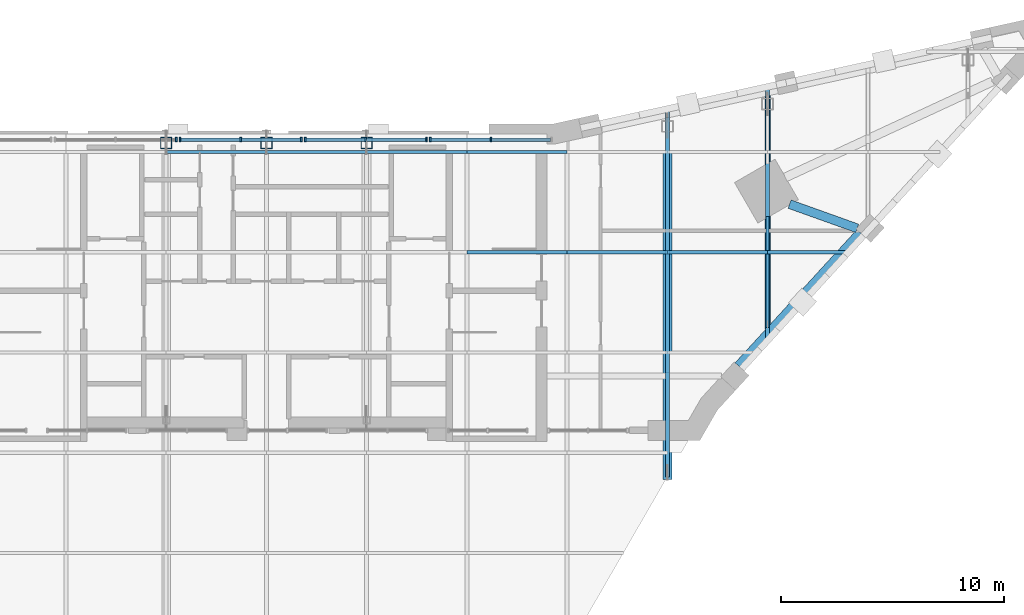
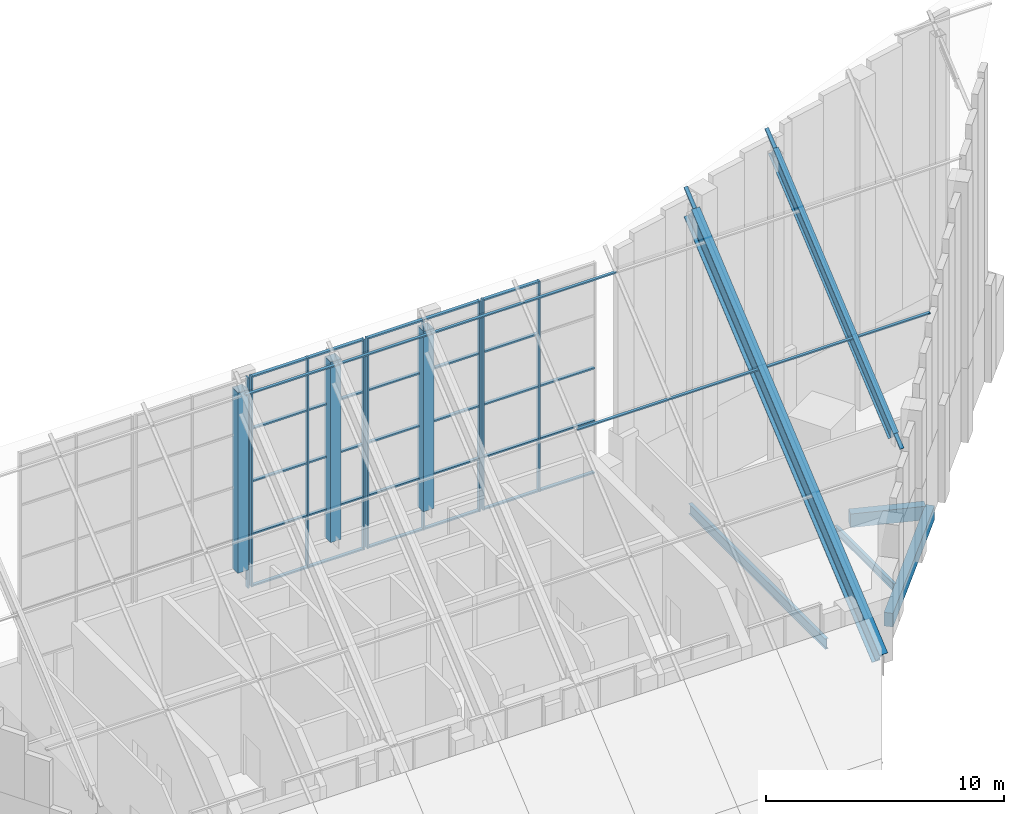
# One storey, part 7 of 19: 50 members, 6 beams, 11 elements without a shape of their own.
"""IFC4 building model written with IfcOpenShell, lengths in metres."""

from ifc_helpers import new_model, si_unit, direction, frame, origin, origin_2d, place, context, subcontext, project, spatial, rectangle, hollow_rectangle, i_section, extrude, material, material_profile, profile_set, type_object, element, aggregate, save


model = new_model("IFC4")

# Units and contexts
model_context = context("Model", 3, precision=1e-05, world=origin(), true_north=direction((0.0, 1.0)))
body_context = subcontext(model_context, "Body", "Model", "MODEL_VIEW")
ifc_project = project(units=[si_unit("LENGTHUNIT", "METRE"), si_unit("AREAUNIT", "SQUARE_METRE"), si_unit("VOLUMEUNIT", "CUBIC_METRE"), si_unit("PLANEANGLEUNIT", "RADIAN"), si_unit("MASSUNIT", "GRAM", prefix="KILO")], contexts=[model_context])

# Site, building, storey
site_placement = place(None, origin())
site = spatial("IfcSite", under=ifc_project, at=site_placement, CompositionType="ELEMENT")
building_placement = place(site_placement, origin())
building = spatial("IfcBuilding", under=site, at=building_placement, Name="Calabash Gate Tower", CompositionType="ELEMENT")
storey_placement = place(building_placement, frame((0.0, 0.0, 335.5)))
storey = spatial("IfcBuildingStorey", under=building, at=storey_placement, Name="L78", CompositionType="ELEMENT", Elevation=335.5)

# Beams
ifc_material_1 = material(Name="Concrete C50/60", Category="concrete")
ifc_material_profile_1 = material_profile(ifc_material_1, rectangle(XDim=0.39990234375, YDim=0.699951171875, at=origin_2d()))
ifc_profile_set_1 = profile_set([ifc_material_profile_1], Name="Concrete C50/60")
beam_type_1 = type_object("IfcBeamType", Name="Edge beam RC 400x700 Concrete C50/60", PredefinedType="BEAM", material=ifc_profile_set_1)
beam_1_placement = place(storey_placement, frame((21.18701171875, 8.652099609375, -0.550048828125), z_axis=(0.674873802315, 0.737933161573, 0.0), x_axis=(-0.737933161573, 0.674873802315, 0.0)))
element("IfcBeam", 1, at=beam_1_placement, inside=storey, type_object=beam_type_1, Name="Edge beam L78 1", PredefinedType="BEAM", context=body_context, shape_type="SweptSolid", body=[
    extrude(rectangle(XDim=0.39990234375, YDim=0.699951171875, at=origin_2d()), origin(), (0.0, 0.0, 1.0), 8.099365234375),
])
beam_2_placement = place(storey_placement, frame((26.51904296875, 14.822998046875, -0.550048828125), z_axis=(-0.941568596034, 0.336821286386, 0.0), x_axis=(-0.336821286386, -0.941568596034, 0.0)))
element("IfcBeam", 2, at=beam_2_placement, inside=storey, type_object=beam_type_1, Name="Edge beam L78 2", PredefinedType="BEAM", context=body_context, shape_type="SweptSolid", body=[
    extrude(rectangle(XDim=0.39990234375, YDim=0.699951171875, at=origin_2d()), origin(), (0.0, 0.0, 1.0), 3.22119140625),
])
ifc_material_2 = material(Name="Steel ASTM A992 Gr50", Category="steel")
ifc_material_profile_2 = material_profile(ifc_material_2, i_section(OverallWidth=0.1396484375, OverallDepth=0.398681640625, WebThickness=0.00634765625, FlangeThickness=0.0087890625, FilletRadius=0.01025390625, at=origin_2d()))
ifc_profile_set_2 = profile_set([ifc_material_profile_2], Name="Steel ASTM A992 Gr50")
beam_type_2 = type_object("IfcBeamType", Name="Floor beam W16x26 ASTM A992 Gr50", PredefinedType="BEAM", material=ifc_profile_set_2)
beam_3_placement = place(storey_placement, frame((22.5, 10.3720703125, -0.39892578125), z_axis=(0.0, 1.0, 0.0), x_axis=(-1.0, 0.0, 0.0)))
element("IfcBeam", 3, at=beam_3_placement, inside=storey, type_object=beam_type_2, Name="Floor beam L78 3", PredefinedType="BEAM", context=body_context, shape_type="SweptSolid", body=[
    extrude(i_section(OverallWidth=0.1396484375, OverallDepth=0.398681640625, WebThickness=0.00634765625, FlangeThickness=0.0087890625, FilletRadius=0.01025390625, at=origin_2d()), origin(), (0.0, 0.0, 1.0), 4.969970703125),
])
ifc_material_3 = material(Name="Steel ASTM A992 Gr50", Category="steel")
ifc_material_profile_3 = material_profile(ifc_material_3, i_section(OverallWidth=0.166015625, OverallDepth=0.5283203125, WebThickness=0.009765625, FlangeThickness=0.013671875, FilletRadius=0.0126953125, at=origin_2d()))
ifc_profile_set_3 = profile_set([ifc_material_profile_3], Name="Steel ASTM A992 Gr50")
beam_type_3 = type_object("IfcBeamType", Name="Floor beam W21x50 ASTM A992 Gr50", PredefinedType="BEAM", material=ifc_profile_set_3)
beam_4_placement = place(storey_placement, frame((18.0, 8.318115234375, -0.464111328125), z_axis=(0.0, 1.0, 0.0), x_axis=(-1.0, 0.0, 0.0)))
element("IfcBeam", 4, at=beam_4_placement, inside=storey, type_object=beam_type_3, Name="Floor beam L78 2", PredefinedType="BEAM", context=body_context, shape_type="SweptSolid", body=[
    extrude(i_section(OverallWidth=0.166015625, OverallDepth=0.5283203125, WebThickness=0.009765625, FlangeThickness=0.013671875, FilletRadius=0.0126953125, at=origin_2d()), origin(), (0.0, 0.0, 1.0), 11.48583984375),
])

# Curtain wall, member
ifc_material_4 = material(Name="Anodised aluminium frame, bronze finish, clear laminated low-emissivity glazing", Category="aluminium")
curtain_wall_type_1 = type_object("IfcCurtainWallType", Name="Curtain wall CWC crown roof glazing", PredefinedType="NOTDEFINED", material=ifc_material_4)
curtain_wall_1_placement = place(storey_placement, origin())
curtain_wall_1 = element("IfcCurtainWall", 5, at=curtain_wall_1_placement, inside=storey, type_object=curtain_wall_type_1, Name="Curtain wall CWC roof glazing strip 10", PredefinedType="NOTDEFINED")
ifc_material_5 = material(Name="Anodised aluminium frame, bronze finish", Category="aluminium")
ifc_material_profile_4 = material_profile(ifc_material_5, rectangle(XDim=0.179931640625, YDim=0.06494140625, at=origin_2d()))
ifc_profile_set_4 = profile_set([ifc_material_profile_4], Name="Anodised aluminium frame, bronze finish")
member_type_1 = type_object("IfcMemberType", Name="Mullion CWC 65x180", PredefinedType="MULLION", material=ifc_profile_set_4)
member_1_placement = place(storey_placement, frame((18.0, 3.66943359375, 1.93310546875), z_axis=(0.0, 0.766041674425, 0.642790909273), x_axis=(-1.0, 0.0, 0.0)))
member_1 = element("IfcMember", 6, at=member_1_placement, type_object=member_type_1, Name="CWC roof mullion 10.1", PredefinedType="MULLION", context=body_context, shape_type="SweptSolid", body=[
    extrude(rectangle(XDim=0.179931640625, YDim=0.06494140625, at=origin_2d()), origin(), (0.0, 0.0, 1.0), 21.5556640625),
])

curtain_wall_2_placement = place(storey_placement, origin())
curtain_wall_2 = element("IfcCurtainWall", 7, at=curtain_wall_2_placement, inside=storey, type_object=curtain_wall_type_1, Name="Curtain wall CWC roof glazing strip 11", PredefinedType="NOTDEFINED")
member_2_placement = place(storey_placement, frame((22.5, 9.79150390625, 7.070068359375), z_axis=(0.0, 0.766043305695, 0.642788965213), x_axis=(-1.0, 0.0, 0.0)))
member_2 = element("IfcMember", 8, at=member_2_placement, type_object=member_type_1, Name="CWC roof mullion 11.1", PredefinedType="MULLION", context=body_context, shape_type="SweptSolid", body=[
    extrude(rectangle(XDim=0.179931640625, YDim=0.06494140625, at=origin_2d()), origin(), (0.0, 0.0, 1.0), 14.85986328125),
])

# Curtain wall, members
ifc_material_6 = material(Name="Anodised aluminium frame, bronze finish, clear laminated impact-rated glazing", Category="aluminium")
curtain_wall_type_2 = type_object("IfcCurtainWallType", Name="Curtain wall CWV crown wall", PredefinedType="NOTDEFINED", material=ifc_material_6)
curtain_wall_3_placement = place(storey_placement, origin())
curtain_wall_3 = element("IfcCurtainWall", 9, at=curtain_wall_3_placement, inside=storey, type_object=curtain_wall_type_2, Name="Curtain wall CWV L78 crown screen 6.1", PredefinedType="NOTDEFINED")
ifc_material_7 = material(Name="Anodised aluminium frame, bronze finish", Category="aluminium")
ifc_material_profile_5 = material_profile(ifc_material_7, rectangle(XDim=0.199951171875, YDim=0.074951171875, at=origin_2d()))
ifc_profile_set_5 = profile_set([ifc_material_profile_5], Name="Anodised aluminium frame, bronze finish")
member_type_2 = type_object("IfcMemberType", Name="Mullion CWV 75x200", PredefinedType="MULLION", material=ifc_profile_set_5)
member_3_placement = place(storey_placement, frame((10.07373046875, 18.802490234375, 3.800048828125), z_axis=(0.0, 0.0, 1.0), x_axis=(0.0, -1.0, 0.0)))
member_3 = element("IfcMember", 10, at=member_3_placement, type_object=member_type_2, Name="CWV mullion 2", PredefinedType="MULLION", context=body_context, shape_type="SweptSolid", body=[
    extrude(rectangle(XDim=0.199951171875, YDim=0.074951171875, at=origin_2d()), origin(), (0.0, 0.0, 1.0), 10.798828125),
])
member_4_placement = place(storey_placement, frame((7.353271484375, 18.802490234375, 3.800048828125), z_axis=(0.0, 0.0, 1.0), x_axis=(0.0, -1.0, 0.0)))
member_4 = element("IfcMember", 11, at=member_4_placement, type_object=member_type_2, Name="CWV mullion 3", PredefinedType="MULLION", context=body_context, shape_type="SweptSolid", body=[
    extrude(rectangle(XDim=0.199951171875, YDim=0.074951171875, at=origin_2d()), origin(), (0.0, 0.0, 1.0), 10.798828125),
])

curtain_wall_4_placement = place(storey_placement, origin())
curtain_wall_4 = element("IfcCurtainWall", 12, at=curtain_wall_4_placement, inside=storey, type_object=curtain_wall_type_2, Name="Curtain wall CWV L78 crown screen 6.2", PredefinedType="NOTDEFINED")
member_5_placement = place(storey_placement, frame((7.17822265625, 18.802490234375, 3.800048828125), z_axis=(0.0, 0.0, 1.0), x_axis=(0.0, -1.0, 0.0)))
member_5 = element("IfcMember", 13, at=member_5_placement, type_object=member_type_2, Name="CWV mullion 1", PredefinedType="MULLION", context=body_context, shape_type="SweptSolid", body=[
    extrude(rectangle(XDim=0.199951171875, YDim=0.074951171875, at=origin_2d()), origin(), (0.0, 0.0, 1.0), 10.798828125),
])
member_6_placement = place(storey_placement, frame((4.4580078125, 18.802490234375, 3.800048828125), z_axis=(0.0, 0.0, 1.0), x_axis=(0.0, -1.0, 0.0)))
member_6 = element("IfcMember", 14, at=member_6_placement, type_object=member_type_2, Name="CWV mullion 2", PredefinedType="MULLION", context=body_context, shape_type="SweptSolid", body=[
    extrude(rectangle(XDim=0.199951171875, YDim=0.074951171875, at=origin_2d()), origin(), (0.0, 0.0, 1.0), 10.798828125),
])
member_7_placement = place(storey_placement, frame((1.737548828125, 18.802490234375, 3.800048828125), z_axis=(0.0, 0.0, 1.0), x_axis=(0.0, -1.0, 0.0)))
member_7 = element("IfcMember", 15, at=member_7_placement, type_object=member_type_2, Name="CWV mullion 3", PredefinedType="MULLION", context=body_context, shape_type="SweptSolid", body=[
    extrude(rectangle(XDim=0.199951171875, YDim=0.074951171875, at=origin_2d()), origin(), (0.0, 0.0, 1.0), 10.798828125),
])

curtain_wall_5_placement = place(storey_placement, origin())
curtain_wall_5 = element("IfcCurtainWall", 16, at=curtain_wall_5_placement, inside=storey, type_object=curtain_wall_type_2, Name="Curtain wall CWV L78 crown screen 6.3", PredefinedType="NOTDEFINED")
member_8_placement = place(storey_placement, frame((1.5625, 18.802490234375, 3.800048828125), z_axis=(0.0, 0.0, 1.0), x_axis=(0.0, -1.0, 0.0)))
member_8 = element("IfcMember", 17, at=member_8_placement, type_object=member_type_2, Name="CWV mullion 1", PredefinedType="MULLION", context=body_context, shape_type="SweptSolid", body=[
    extrude(rectangle(XDim=0.199951171875, YDim=0.074951171875, at=origin_2d()), origin(), (0.0, 0.0, 1.0), 10.798828125),
])
member_9_placement = place(storey_placement, frame((-1.15771484375, 18.802490234375, 3.800048828125), z_axis=(0.0, 0.0, 1.0), x_axis=(0.0, -1.0, 0.0)))
member_9 = element("IfcMember", 18, at=member_9_placement, type_object=member_type_2, Name="CWV mullion 2", PredefinedType="MULLION", context=body_context, shape_type="SweptSolid", body=[
    extrude(rectangle(XDim=0.199951171875, YDim=0.074951171875, at=origin_2d()), origin(), (0.0, 0.0, 1.0), 10.798828125),
])
member_10_placement = place(storey_placement, frame((-3.878173828125, 18.802490234375, 3.800048828125), z_axis=(0.0, 0.0, 1.0), x_axis=(0.0, -1.0, 0.0)))
member_10 = element("IfcMember", 19, at=member_10_placement, type_object=member_type_2, Name="CWV mullion 3", PredefinedType="MULLION", context=body_context, shape_type="SweptSolid", body=[
    extrude(rectangle(XDim=0.199951171875, YDim=0.074951171875, at=origin_2d()), origin(), (0.0, 0.0, 1.0), 10.798828125),
])

# Curtain wall, member
curtain_wall_6_placement = place(storey_placement, origin())
curtain_wall_6 = element("IfcCurtainWall", 20, at=curtain_wall_6_placement, inside=storey, type_object=curtain_wall_type_2, Name="Curtain wall CWV L78 crown screen 6.4", PredefinedType="NOTDEFINED")
member_11_placement = place(storey_placement, frame((-4.05322265625, 18.802490234375, 3.800048828125), z_axis=(0.0, 0.0, 1.0), x_axis=(0.0, -1.0, 0.0)))
member_11 = element("IfcMember", 21, at=member_11_placement, type_object=member_type_2, Name="CWV mullion 1", PredefinedType="MULLION", context=body_context, shape_type="SweptSolid", body=[
    extrude(rectangle(XDim=0.199951171875, YDim=0.074951171875, at=origin_2d()), origin(), (0.0, 0.0, 1.0), 10.798828125),
])
aggregate(curtain_wall_6, [member_11])

# Members
ifc_material_8 = material(Name="Steel ASTM A500 Gr C", Category="steel")
ifc_material_profile_6 = material_profile(ifc_material_8, hollow_rectangle(XDim=0.508056640625, YDim=0.508056640625, WallThickness=0.01904296875, at=origin_2d()))
ifc_profile_set_6 = profile_set([ifc_material_profile_6], Name="Steel ASTM A500 Gr C")
member_type_3 = type_object("IfcMemberType", Name="Roof post HSS20X20X.750 ASTM A500 Gr C", PredefinedType="POST", material=ifc_profile_set_6)
for number, where, z_axis, x_axis, name in (
    (22, (-4.5, 18.652587890625, 5.0), (0.0, 0.0, 1.0), (1.0, 0.0, 0.0), "Roof post 5"),
    (23, (0.0, 18.652587890625, 5.0), (0.0, 0.0, 1.0), (1.0, 0.0, 0.0), "Roof post 7"),
    (24, (4.5, 18.652587890625, 5.0), (0.0, 0.0, 1.0), (1.0, 0.0, 0.0), "Roof post 10"),
):
    element("IfcMember", number, at=place(storey_placement, frame(where, z_axis=z_axis, x_axis=x_axis)), inside=storey, type_object=member_type_3, Name=name, PredefinedType="POST", context=body_context, shape_type="SweptSolid", body=[
        extrude(hollow_rectangle(XDim=0.508056640625, YDim=0.508056640625, WallThickness=0.01904296875, at=origin_2d()), origin(), (0.0, 0.0, 1.0), 9.24951171875),
    ])

# Beams
ifc_material_9 = material(Name="Steel ASTM A992 Gr50", Category="steel")
ifc_material_profile_7 = material_profile(ifc_material_9, i_section(OverallWidth=0.25390625, OverallDepth=0.67822265625, WebThickness=0.01171875, FlangeThickness=0.016357421875, FilletRadius=0.01513671875, at=origin_2d()))
ifc_profile_set_7 = profile_set([ifc_material_profile_7], Name="Steel ASTM A992 Gr50")
beam_type_4 = type_object("IfcBeamType", Name="Roof rafter W27x84 ASTM A992 Gr50", PredefinedType="BEAM", material=ifc_profile_set_7)
beam_5_placement = place(storey_placement, frame((22.5, 10.508056640625, 7.31591796875), z_axis=(0.0, 0.764915510424, 0.644130624883), x_axis=(-1.0, 0.0, 0.0)))
element("IfcBeam", 25, at=beam_5_placement, inside=storey, type_object=beam_type_4, Name="Roof rafter 8", PredefinedType="BEAM", context=body_context, shape_type="SweptSolid", body=[
    extrude(i_section(OverallWidth=0.25390625, OverallDepth=0.67822265625, WebThickness=0.01171875, FlangeThickness=0.016357421875, FilletRadius=0.01513671875, at=origin_2d()), origin(), (0.0, 0.0, 1.0), 13.213134765625),
])
ifc_material_10 = material(Name="Steel ASTM A992 Gr50", Category="steel")
ifc_material_profile_8 = material_profile(ifc_material_10, i_section(OverallWidth=0.4013671875, OverallDepth=1.000732421875, WebThickness=0.01904296875, FlangeThickness=0.0361328125, FilletRadius=0.030029296875, at=origin_2d()))
ifc_profile_set_8 = profile_set([ifc_material_profile_8], Name="Steel ASTM A992 Gr50")
beam_type_5 = type_object("IfcBeamType", Name="Roof rafter W40x249 ASTM A992 Gr50", PredefinedType="BEAM", material=ifc_profile_set_8)
beam_6_placement = place(storey_placement, frame((18.0, 3.85693359375, 1.52294921875), z_axis=(0.0, 0.765271834572, 0.643707246511), x_axis=(-1.0, 0.0, 0.0)))
element("IfcBeam", 26, at=beam_6_placement, inside=storey, type_object=beam_type_5, Name="Roof rafter 7", PredefinedType="BEAM", context=body_context, shape_type="SweptSolid", body=[
    extrude(i_section(OverallWidth=0.4013671875, OverallDepth=1.000732421875, WebThickness=0.01904296875, FlangeThickness=0.0361328125, FilletRadius=0.030029296875, at=origin_2d()), origin(), (0.0, 0.0, 1.0), 20.655517578125),
])

# Curtain wall, member
curtain_wall_7_placement = place(storey_placement, origin())
curtain_wall_7 = element("IfcCurtainWall", 27, at=curtain_wall_7_placement, inside=storey, type_object=curtain_wall_type_1, Name="Curtain wall CWC roof glazing strip 5", PredefinedType="NOTDEFINED")
ifc_material_11 = material(Name="Anodised aluminium frame, bronze finish", Category="aluminium")
ifc_material_profile_9 = material_profile(ifc_material_11, rectangle(XDim=0.139892578125, YDim=0.06494140625, at=origin_2d()))
ifc_profile_set_9 = profile_set([ifc_material_profile_9], Name="Anodised aluminium frame, bronze finish")
member_type_4 = type_object("IfcMemberType", Name="Transom CWC 65x140", PredefinedType="USERDEFINED", material=ifc_profile_set_9)
member_12_placement = place(storey_placement, frame((-4.5, 18.248046875, 14.166015625), z_axis=(1.0, 0.0, 0.0), x_axis=(0.0, 1.0, 0.0)))
member_12 = element("IfcMember", 28, at=member_12_placement, type_object=member_type_4, Name="CWC roof transom 5.9", ObjectType="TRANSOM", PredefinedType="USERDEFINED", context=body_context, shape_type="SweptSolid", body=[
    extrude(rectangle(XDim=0.139892578125, YDim=0.06494140625, at=origin_2d()), origin(), (0.0, 0.0, 1.0), 4.5),
])
aggregate(curtain_wall_7, [member_12])

curtain_wall_8_placement = place(storey_placement, origin())
curtain_wall_8 = element("IfcCurtainWall", 29, at=curtain_wall_8_placement, inside=storey, type_object=curtain_wall_type_1, Name="Curtain wall CWC roof glazing strip 6", PredefinedType="NOTDEFINED")
member_13_placement = place(storey_placement, frame((0.0, 18.248046875, 14.166015625), z_axis=(1.0, 0.0, 0.0), x_axis=(0.0, 1.0, 0.0)))
member_13 = element("IfcMember", 30, at=member_13_placement, type_object=member_type_4, Name="CWC roof transom 6.9", ObjectType="TRANSOM", PredefinedType="USERDEFINED", context=body_context, shape_type="SweptSolid", body=[
    extrude(rectangle(XDim=0.139892578125, YDim=0.06494140625, at=origin_2d()), origin(), (0.0, 0.0, 1.0), 4.5),
])
aggregate(curtain_wall_8, [member_13])

curtain_wall_9_placement = place(storey_placement, origin())
curtain_wall_9 = element("IfcCurtainWall", 31, at=curtain_wall_9_placement, inside=storey, type_object=curtain_wall_type_1, Name="Curtain wall CWC roof glazing strip 7", PredefinedType="NOTDEFINED")
member_14_placement = place(storey_placement, frame((4.5, 18.248046875, 14.166015625), z_axis=(1.0, 0.0, 0.0), x_axis=(0.0, 1.0, 0.0)))
member_14 = element("IfcMember", 32, at=member_14_placement, type_object=member_type_4, Name="CWC roof transom 7.9", ObjectType="TRANSOM", PredefinedType="USERDEFINED", context=body_context, shape_type="SweptSolid", body=[
    extrude(rectangle(XDim=0.139892578125, YDim=0.06494140625, at=origin_2d()), origin(), (0.0, 0.0, 1.0), 4.5),
])
aggregate(curtain_wall_9, [member_14])

# Curtain wall, members
curtain_wall_10_placement = place(storey_placement, origin())
curtain_wall_10 = element("IfcCurtainWall", 33, at=curtain_wall_10_placement, inside=storey, type_object=curtain_wall_type_1, Name="Curtain wall CWC roof glazing strip 8", PredefinedType="NOTDEFINED")
member_15_placement = place(storey_placement, frame((9.0, 13.748046875, 10.39013671875), z_axis=(1.0, 0.0, 0.0), x_axis=(0.0, 1.0, 0.0)))
member_15 = element("IfcMember", 34, at=member_15_placement, type_object=member_type_4, Name="CWC roof transom 8.6", ObjectType="TRANSOM", PredefinedType="USERDEFINED", context=body_context, shape_type="SweptSolid", body=[
    extrude(rectangle(XDim=0.139892578125, YDim=0.06494140625, at=origin_2d()), origin(), (0.0, 0.0, 1.0), 4.5),
])
member_16_placement = place(storey_placement, frame((9.0, 18.248046875, 14.166015625), z_axis=(1.0, 0.0, 0.0), x_axis=(0.0, 1.0, 0.0)))
member_16 = element("IfcMember", 35, at=member_16_placement, type_object=member_type_4, Name="CWC roof transom 8.7", ObjectType="TRANSOM", PredefinedType="USERDEFINED", context=body_context, shape_type="SweptSolid", body=[
    extrude(rectangle(XDim=0.139892578125, YDim=0.06494140625, at=origin_2d()), origin(), (0.0, 0.0, 1.0), 4.5),
])
aggregate(curtain_wall_10, [member_15, member_16])

# Curtain wall, member
curtain_wall_11_placement = place(storey_placement, origin())
curtain_wall_11 = element("IfcCurtainWall", 36, at=curtain_wall_11_placement, inside=storey, type_object=curtain_wall_type_1, Name="Curtain wall CWC roof glazing strip 9", PredefinedType="NOTDEFINED")
member_17_placement = place(storey_placement, frame((13.5, 13.748046875, 10.39013671875), z_axis=(1.0, 0.0, 0.0), x_axis=(0.0, 1.0, 0.0)))
member_17 = element("IfcMember", 37, at=member_17_placement, type_object=member_type_4, Name="CWC roof transom 9.4", ObjectType="TRANSOM", PredefinedType="USERDEFINED", context=body_context, shape_type="SweptSolid", body=[
    extrude(rectangle(XDim=0.139892578125, YDim=0.06494140625, at=origin_2d()), origin(), (0.0, 0.0, 1.0), 4.5),
])
aggregate(curtain_wall_11, [member_17])

# Member
member_18_placement = place(storey_placement, frame((18.0, 13.748046875, 10.39013671875), z_axis=(1.0, 0.0, 0.0), x_axis=(0.0, 1.0, 0.0)))
member_18 = element("IfcMember", 38, at=member_18_placement, type_object=member_type_4, Name="CWC roof transom 10.2", ObjectType="TRANSOM", PredefinedType="USERDEFINED", context=body_context, shape_type="SweptSolid", body=[
    extrude(rectangle(XDim=0.139892578125, YDim=0.06494140625, at=origin_2d()), origin(), (0.0, 0.0, 1.0), 4.5),
])

aggregate(curtain_wall_1, [member_1, member_18])

member_19_placement = place(storey_placement, frame((22.5, 13.748046875, 10.39013671875), z_axis=(1.0, 0.0, 0.0), x_axis=(0.0, 1.0, 0.0)))
member_19 = element("IfcMember", 39, at=member_19_placement, type_object=member_type_4, Name="CWC roof transom 11.1", ObjectType="TRANSOM", PredefinedType="USERDEFINED", context=body_context, shape_type="SweptSolid", body=[
    extrude(rectangle(XDim=0.139892578125, YDim=0.06494140625, at=origin_2d()), origin(), (0.0, 0.0, 1.0), 3.618408203125),
])

aggregate(curtain_wall_2, [member_2, member_19])

ifc_material_12 = material(Name="Anodised aluminium frame, bronze finish", Category="aluminium")
ifc_material_profile_10 = material_profile(ifc_material_12, rectangle(XDim=0.159912109375, YDim=0.074951171875, at=origin_2d()))
ifc_profile_set_10 = profile_set([ifc_material_profile_10], Name="Anodised aluminium frame, bronze finish")
member_type_5 = type_object("IfcMemberType", Name="Transom CWV 75x160", PredefinedType="USERDEFINED", material=ifc_profile_set_10)
member_20_placement = place(storey_placement, frame((12.75634765625, 18.802490234375, 3.83740234375), z_axis=(-1.0, 0.0, 0.0), x_axis=(0.0, -1.0, 0.0)))
member_20 = element("IfcMember", 40, at=member_20_placement, type_object=member_type_5, Name="CWV transom 1.1", ObjectType="TRANSOM", PredefinedType="USERDEFINED", context=body_context, shape_type="SweptSolid", body=[
    extrude(rectangle(XDim=0.159912109375, YDim=0.074951171875, at=origin_2d()), origin(), (0.0, 0.0, 1.0), 2.645263671875),
])

member_21_placement = place(storey_placement, frame((12.75634765625, 18.802490234375, 6.499755859375), z_axis=(-1.0, 0.0, 0.0), x_axis=(0.0, -1.0, 0.0)))
member_21 = element("IfcMember", 41, at=member_21_placement, type_object=member_type_5, Name="CWV transom 1.2", ObjectType="TRANSOM", PredefinedType="USERDEFINED", context=body_context, shape_type="SweptSolid", body=[
    extrude(rectangle(XDim=0.159912109375, YDim=0.074951171875, at=origin_2d()), origin(), (0.0, 0.0, 1.0), 2.645263671875),
])

member_22_placement = place(storey_placement, frame((12.75634765625, 18.802490234375, 9.199462890625), z_axis=(-1.0, 0.0, 0.0), x_axis=(0.0, -1.0, 0.0)))
member_22 = element("IfcMember", 42, at=member_22_placement, type_object=member_type_5, Name="CWV transom 1.3", ObjectType="TRANSOM", PredefinedType="USERDEFINED", context=body_context, shape_type="SweptSolid", body=[
    extrude(rectangle(XDim=0.159912109375, YDim=0.074951171875, at=origin_2d()), origin(), (0.0, 0.0, 1.0), 2.645263671875),
])

member_23_placement = place(storey_placement, frame((10.0361328125, 18.802490234375, 3.83740234375), z_axis=(-1.0, 0.0, 0.0), x_axis=(0.0, -1.0, 0.0)))
member_23 = element("IfcMember", 43, at=member_23_placement, type_object=member_type_5, Name="CWV transom 2.1", ObjectType="TRANSOM", PredefinedType="USERDEFINED", context=body_context, shape_type="SweptSolid", body=[
    extrude(rectangle(XDim=0.159912109375, YDim=0.074951171875, at=origin_2d()), origin(), (0.0, 0.0, 1.0), 2.645263671875),
])

member_24_placement = place(storey_placement, frame((10.0361328125, 18.802490234375, 6.499755859375), z_axis=(-1.0, 0.0, 0.0), x_axis=(0.0, -1.0, 0.0)))
member_24 = element("IfcMember", 44, at=member_24_placement, type_object=member_type_5, Name="CWV transom 2.2", ObjectType="TRANSOM", PredefinedType="USERDEFINED", context=body_context, shape_type="SweptSolid", body=[
    extrude(rectangle(XDim=0.159912109375, YDim=0.074951171875, at=origin_2d()), origin(), (0.0, 0.0, 1.0), 2.645263671875),
])

member_25_placement = place(storey_placement, frame((10.0361328125, 18.802490234375, 9.199462890625), z_axis=(-1.0, 0.0, 0.0), x_axis=(0.0, -1.0, 0.0)))
member_25 = element("IfcMember", 45, at=member_25_placement, type_object=member_type_5, Name="CWV transom 2.3", ObjectType="TRANSOM", PredefinedType="USERDEFINED", context=body_context, shape_type="SweptSolid", body=[
    extrude(rectangle(XDim=0.159912109375, YDim=0.074951171875, at=origin_2d()), origin(), (0.0, 0.0, 1.0), 2.645263671875),
])

member_26_placement = place(storey_placement, frame((10.0361328125, 18.802490234375, 11.899169921875), z_axis=(-1.0, 0.0, 0.0), x_axis=(0.0, -1.0, 0.0)))
member_26 = element("IfcMember", 46, at=member_26_placement, type_object=member_type_5, Name="CWV transom 2.4", ObjectType="TRANSOM", PredefinedType="USERDEFINED", context=body_context, shape_type="SweptSolid", body=[
    extrude(rectangle(XDim=0.159912109375, YDim=0.074951171875, at=origin_2d()), origin(), (0.0, 0.0, 1.0), 2.645263671875),
])

member_27_placement = place(storey_placement, frame((10.0361328125, 18.802490234375, 14.561279296875), z_axis=(-1.0, 0.0, 0.0), x_axis=(0.0, -1.0, 0.0)))
member_27 = element("IfcMember", 47, at=member_27_placement, type_object=member_type_5, Name="CWV transom 2.5", ObjectType="TRANSOM", PredefinedType="USERDEFINED", context=body_context, shape_type="SweptSolid", body=[
    extrude(rectangle(XDim=0.159912109375, YDim=0.074951171875, at=origin_2d()), origin(), (0.0, 0.0, 1.0), 2.645263671875),
])

aggregate(curtain_wall_3, [member_3, member_4, member_20, member_21, member_22, member_23, member_24, member_25, member_26, member_27])

member_28_placement = place(storey_placement, frame((7.140869140625, 18.802490234375, 3.83740234375), z_axis=(-1.0, 0.0, 0.0), x_axis=(0.0, -1.0, 0.0)))
member_28 = element("IfcMember", 48, at=member_28_placement, type_object=member_type_5, Name="CWV transom 1.1", ObjectType="TRANSOM", PredefinedType="USERDEFINED", context=body_context, shape_type="SweptSolid", body=[
    extrude(rectangle(XDim=0.159912109375, YDim=0.074951171875, at=origin_2d()), origin(), (0.0, 0.0, 1.0), 2.6455078125),
])

member_29_placement = place(storey_placement, frame((7.140869140625, 18.802490234375, 6.499755859375), z_axis=(-1.0, 0.0, 0.0), x_axis=(0.0, -1.0, 0.0)))
member_29 = element("IfcMember", 49, at=member_29_placement, type_object=member_type_5, Name="CWV transom 1.2", ObjectType="TRANSOM", PredefinedType="USERDEFINED", context=body_context, shape_type="SweptSolid", body=[
    extrude(rectangle(XDim=0.159912109375, YDim=0.074951171875, at=origin_2d()), origin(), (0.0, 0.0, 1.0), 2.6455078125),
])

member_30_placement = place(storey_placement, frame((7.140869140625, 18.802490234375, 9.199462890625), z_axis=(-1.0, 0.0, 0.0), x_axis=(0.0, -1.0, 0.0)))
member_30 = element("IfcMember", 50, at=member_30_placement, type_object=member_type_5, Name="CWV transom 1.3", ObjectType="TRANSOM", PredefinedType="USERDEFINED", context=body_context, shape_type="SweptSolid", body=[
    extrude(rectangle(XDim=0.159912109375, YDim=0.074951171875, at=origin_2d()), origin(), (0.0, 0.0, 1.0), 2.6455078125),
])

member_31_placement = place(storey_placement, frame((7.140869140625, 18.802490234375, 11.899169921875), z_axis=(-1.0, 0.0, 0.0), x_axis=(0.0, -1.0, 0.0)))
member_31 = element("IfcMember", 51, at=member_31_placement, type_object=member_type_5, Name="CWV transom 1.4", ObjectType="TRANSOM", PredefinedType="USERDEFINED", context=body_context, shape_type="SweptSolid", body=[
    extrude(rectangle(XDim=0.159912109375, YDim=0.074951171875, at=origin_2d()), origin(), (0.0, 0.0, 1.0), 2.6455078125),
])

member_32_placement = place(storey_placement, frame((7.140869140625, 18.802490234375, 14.561279296875), z_axis=(-1.0, 0.0, 0.0), x_axis=(0.0, -1.0, 0.0)))
member_32 = element("IfcMember", 52, at=member_32_placement, type_object=member_type_5, Name="CWV transom 1.5", ObjectType="TRANSOM", PredefinedType="USERDEFINED", context=body_context, shape_type="SweptSolid", body=[
    extrude(rectangle(XDim=0.159912109375, YDim=0.074951171875, at=origin_2d()), origin(), (0.0, 0.0, 1.0), 2.6455078125),
])

member_33_placement = place(storey_placement, frame((4.42041015625, 18.802490234375, 3.83740234375), z_axis=(-1.0, 0.0, 0.0), x_axis=(0.0, -1.0, 0.0)))
member_33 = element("IfcMember", 53, at=member_33_placement, type_object=member_type_5, Name="CWV transom 2.1", ObjectType="TRANSOM", PredefinedType="USERDEFINED", context=body_context, shape_type="SweptSolid", body=[
    extrude(rectangle(XDim=0.159912109375, YDim=0.074951171875, at=origin_2d()), origin(), (0.0, 0.0, 1.0), 2.645263671875),
])

member_34_placement = place(storey_placement, frame((4.42041015625, 18.802490234375, 6.499755859375), z_axis=(-1.0, 0.0, 0.0), x_axis=(0.0, -1.0, 0.0)))
member_34 = element("IfcMember", 54, at=member_34_placement, type_object=member_type_5, Name="CWV transom 2.2", ObjectType="TRANSOM", PredefinedType="USERDEFINED", context=body_context, shape_type="SweptSolid", body=[
    extrude(rectangle(XDim=0.159912109375, YDim=0.074951171875, at=origin_2d()), origin(), (0.0, 0.0, 1.0), 2.645263671875),
])

member_35_placement = place(storey_placement, frame((4.42041015625, 18.802490234375, 9.199462890625), z_axis=(-1.0, 0.0, 0.0), x_axis=(0.0, -1.0, 0.0)))
member_35 = element("IfcMember", 55, at=member_35_placement, type_object=member_type_5, Name="CWV transom 2.3", ObjectType="TRANSOM", PredefinedType="USERDEFINED", context=body_context, shape_type="SweptSolid", body=[
    extrude(rectangle(XDim=0.159912109375, YDim=0.074951171875, at=origin_2d()), origin(), (0.0, 0.0, 1.0), 2.645263671875),
])

member_36_placement = place(storey_placement, frame((4.42041015625, 18.802490234375, 11.899169921875), z_axis=(-1.0, 0.0, 0.0), x_axis=(0.0, -1.0, 0.0)))
member_36 = element("IfcMember", 56, at=member_36_placement, type_object=member_type_5, Name="CWV transom 2.4", ObjectType="TRANSOM", PredefinedType="USERDEFINED", context=body_context, shape_type="SweptSolid", body=[
    extrude(rectangle(XDim=0.159912109375, YDim=0.074951171875, at=origin_2d()), origin(), (0.0, 0.0, 1.0), 2.645263671875),
])

member_37_placement = place(storey_placement, frame((4.42041015625, 18.802490234375, 14.561279296875), z_axis=(-1.0, 0.0, 0.0), x_axis=(0.0, -1.0, 0.0)))
member_37 = element("IfcMember", 57, at=member_37_placement, type_object=member_type_5, Name="CWV transom 2.5", ObjectType="TRANSOM", PredefinedType="USERDEFINED", context=body_context, shape_type="SweptSolid", body=[
    extrude(rectangle(XDim=0.159912109375, YDim=0.074951171875, at=origin_2d()), origin(), (0.0, 0.0, 1.0), 2.645263671875),
])

aggregate(curtain_wall_4, [member_5, member_6, member_7, member_28, member_29, member_30, member_31, member_32, member_33, member_34, member_35, member_36, member_37])

member_38_placement = place(storey_placement, frame((1.525146484375, 18.802490234375, 3.83740234375), z_axis=(-1.0, 0.0, 0.0), x_axis=(0.0, -1.0, 0.0)))
member_38 = element("IfcMember", 58, at=member_38_placement, type_object=member_type_5, Name="CWV transom 1.1", ObjectType="TRANSOM", PredefinedType="USERDEFINED", context=body_context, shape_type="SweptSolid", body=[
    extrude(rectangle(XDim=0.159912109375, YDim=0.074951171875, at=origin_2d()), origin(), (0.0, 0.0, 1.0), 2.6455078125),
])

member_39_placement = place(storey_placement, frame((1.525146484375, 18.802490234375, 6.499755859375), z_axis=(-1.0, 0.0, 0.0), x_axis=(0.0, -1.0, 0.0)))
member_39 = element("IfcMember", 59, at=member_39_placement, type_object=member_type_5, Name="CWV transom 1.2", ObjectType="TRANSOM", PredefinedType="USERDEFINED", context=body_context, shape_type="SweptSolid", body=[
    extrude(rectangle(XDim=0.159912109375, YDim=0.074951171875, at=origin_2d()), origin(), (0.0, 0.0, 1.0), 2.6455078125),
])

member_40_placement = place(storey_placement, frame((1.525146484375, 18.802490234375, 9.199462890625), z_axis=(-1.0, 0.0, 0.0), x_axis=(0.0, -1.0, 0.0)))
member_40 = element("IfcMember", 60, at=member_40_placement, type_object=member_type_5, Name="CWV transom 1.3", ObjectType="TRANSOM", PredefinedType="USERDEFINED", context=body_context, shape_type="SweptSolid", body=[
    extrude(rectangle(XDim=0.159912109375, YDim=0.074951171875, at=origin_2d()), origin(), (0.0, 0.0, 1.0), 2.6455078125),
])

member_41_placement = place(storey_placement, frame((1.525146484375, 18.802490234375, 11.899169921875), z_axis=(-1.0, 0.0, 0.0), x_axis=(0.0, -1.0, 0.0)))
member_41 = element("IfcMember", 61, at=member_41_placement, type_object=member_type_5, Name="CWV transom 1.4", ObjectType="TRANSOM", PredefinedType="USERDEFINED", context=body_context, shape_type="SweptSolid", body=[
    extrude(rectangle(XDim=0.159912109375, YDim=0.074951171875, at=origin_2d()), origin(), (0.0, 0.0, 1.0), 2.6455078125),
])

member_42_placement = place(storey_placement, frame((1.525146484375, 18.802490234375, 14.561279296875), z_axis=(-1.0, 0.0, 0.0), x_axis=(0.0, -1.0, 0.0)))
member_42 = element("IfcMember", 62, at=member_42_placement, type_object=member_type_5, Name="CWV transom 1.5", ObjectType="TRANSOM", PredefinedType="USERDEFINED", context=body_context, shape_type="SweptSolid", body=[
    extrude(rectangle(XDim=0.159912109375, YDim=0.074951171875, at=origin_2d()), origin(), (0.0, 0.0, 1.0), 2.6455078125),
])

member_43_placement = place(storey_placement, frame((-1.1953125, 18.802490234375, 3.83740234375), z_axis=(-1.0, 0.0, 0.0), x_axis=(0.0, -1.0, 0.0)))
member_43 = element("IfcMember", 63, at=member_43_placement, type_object=member_type_5, Name="CWV transom 2.1", ObjectType="TRANSOM", PredefinedType="USERDEFINED", context=body_context, shape_type="SweptSolid", body=[
    extrude(rectangle(XDim=0.159912109375, YDim=0.074951171875, at=origin_2d()), origin(), (0.0, 0.0, 1.0), 2.645263671875),
])

member_44_placement = place(storey_placement, frame((-1.1953125, 18.802490234375, 6.499755859375), z_axis=(-1.0, 0.0, 0.0), x_axis=(0.0, -1.0, 0.0)))
member_44 = element("IfcMember", 64, at=member_44_placement, type_object=member_type_5, Name="CWV transom 2.2", ObjectType="TRANSOM", PredefinedType="USERDEFINED", context=body_context, shape_type="SweptSolid", body=[
    extrude(rectangle(XDim=0.159912109375, YDim=0.074951171875, at=origin_2d()), origin(), (0.0, 0.0, 1.0), 2.645263671875),
])

member_45_placement = place(storey_placement, frame((-1.1953125, 18.802490234375, 9.199462890625), z_axis=(-1.0, 0.0, 0.0), x_axis=(0.0, -1.0, 0.0)))
member_45 = element("IfcMember", 65, at=member_45_placement, type_object=member_type_5, Name="CWV transom 2.3", ObjectType="TRANSOM", PredefinedType="USERDEFINED", context=body_context, shape_type="SweptSolid", body=[
    extrude(rectangle(XDim=0.159912109375, YDim=0.074951171875, at=origin_2d()), origin(), (0.0, 0.0, 1.0), 2.645263671875),
])

member_46_placement = place(storey_placement, frame((-1.1953125, 18.802490234375, 11.899169921875), z_axis=(-1.0, 0.0, 0.0), x_axis=(0.0, -1.0, 0.0)))
member_46 = element("IfcMember", 66, at=member_46_placement, type_object=member_type_5, Name="CWV transom 2.4", ObjectType="TRANSOM", PredefinedType="USERDEFINED", context=body_context, shape_type="SweptSolid", body=[
    extrude(rectangle(XDim=0.159912109375, YDim=0.074951171875, at=origin_2d()), origin(), (0.0, 0.0, 1.0), 2.645263671875),
])

member_47_placement = place(storey_placement, frame((-1.1953125, 18.802490234375, 14.561279296875), z_axis=(-1.0, 0.0, 0.0), x_axis=(0.0, -1.0, 0.0)))
member_47 = element("IfcMember", 67, at=member_47_placement, type_object=member_type_5, Name="CWV transom 2.5", ObjectType="TRANSOM", PredefinedType="USERDEFINED", context=body_context, shape_type="SweptSolid", body=[
    extrude(rectangle(XDim=0.159912109375, YDim=0.074951171875, at=origin_2d()), origin(), (0.0, 0.0, 1.0), 2.645263671875),
])

aggregate(curtain_wall_5, [member_8, member_9, member_10, member_38, member_39, member_40, member_41, member_42, member_43, member_44, member_45, member_46, member_47])

save(model, "model.ifc")
